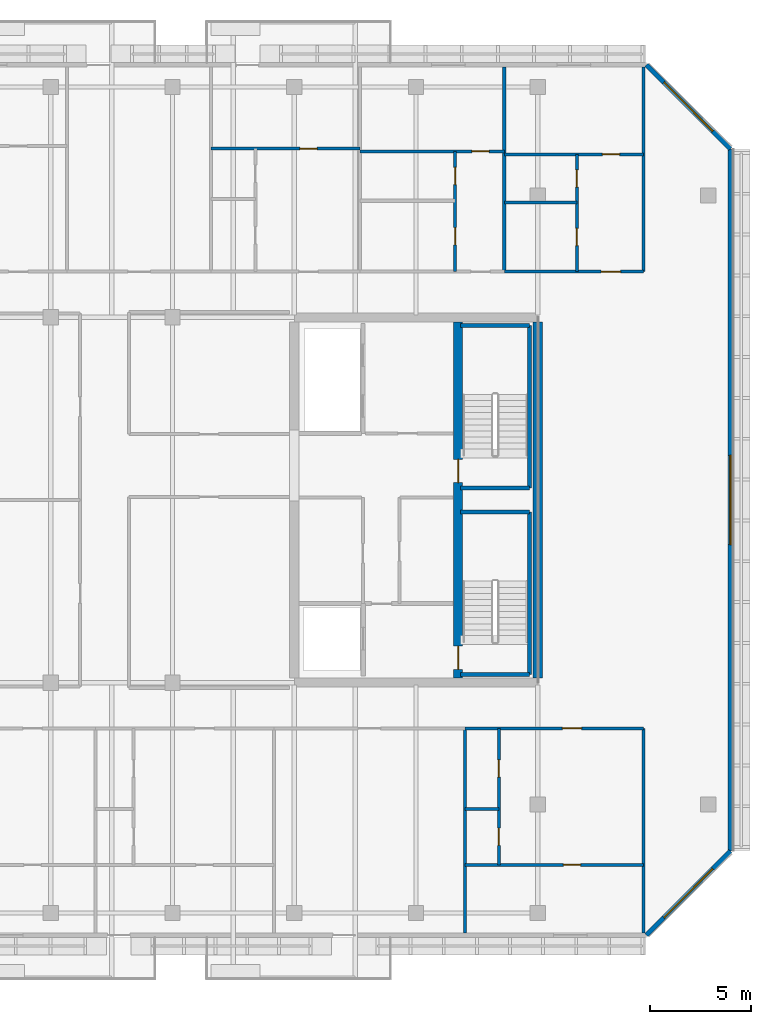
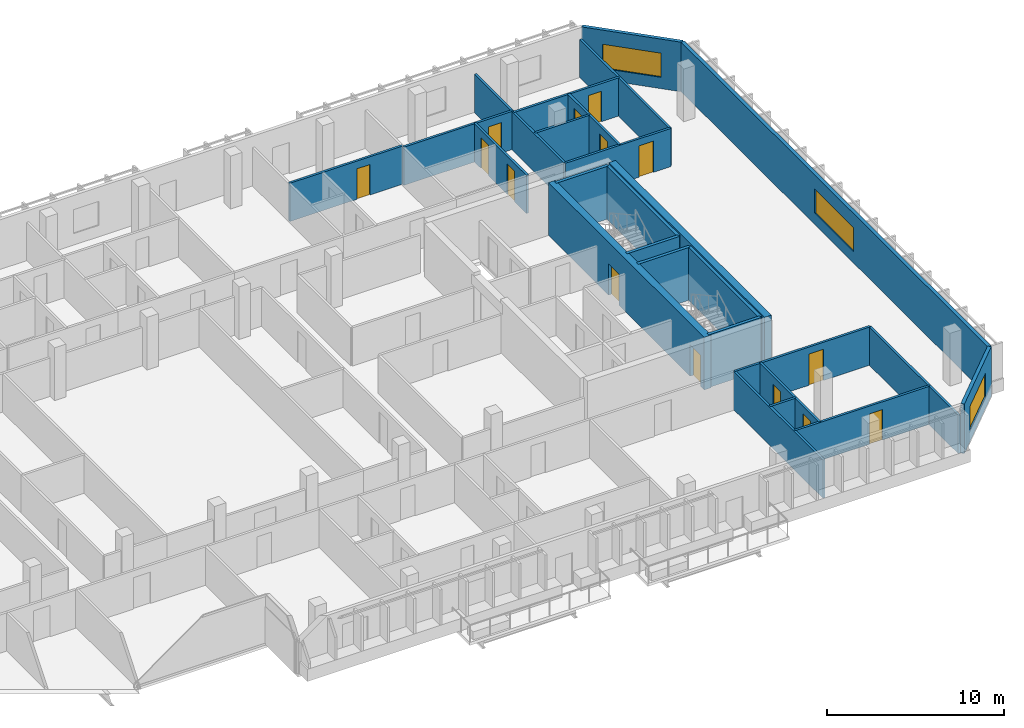
# One storey, part 11 of 17: 26 walls, 14 doors, 3 windows, 17 openings.
"""IFC4 building model written with IfcOpenShell, lengths in metres."""

from ifc_helpers import new_model, si_unit, direction, frame, frame_2d, origin, place, context, subcontext, project, spatial, rectangle, extrude, material, layer, layer_set, type_object, element, fill, save


model = new_model("IFC4")

# Units and contexts
model_context = context("Model", 3, precision=1e-05, world=origin(), true_north=direction((0.0, 1.0)))
body_context = subcontext(model_context, "Body", "Model", "MODEL_VIEW")
ifc_project = project(units=[si_unit("LENGTHUNIT", "METRE"), si_unit("AREAUNIT", "SQUARE_METRE"), si_unit("VOLUMEUNIT", "CUBIC_METRE"), si_unit("PLANEANGLEUNIT", "RADIAN"), si_unit("MASSUNIT", "GRAM", prefix="KILO")], contexts=[model_context])

# Site, building, storey
site_placement = place(None, origin())
site = spatial("IfcSite", under=ifc_project, at=site_placement, CompositionType="ELEMENT")
building_placement = place(site_placement, origin())
building = spatial("IfcBuilding", under=site, at=building_placement, Name="Tanjung Sevakor Pilgrim Tower", CompositionType="ELEMENT")
storey_placement = place(building_placement, frame((0.0, 0.0, 219.1201171875)))
storey = spatial("IfcBuildingStorey", under=building, at=storey_placement, Name="L61", CompositionType="ELEMENT", Elevation=219.1201171875)

# Wall
ifc_material_1 = material(Name="Concrete C60/75", Category="concrete")
ifc_layer_1 = layer(ifc_material_1, 0.449951171875)
ifc_layer_set_1 = layer_set([ifc_layer_1], Name="WALL-CW-450")
wall_type_1 = type_object("IfcWallType", Name="WALL-CW-450", PredefinedType="SHEAR", material=ifc_layer_set_1)
wall_1_placement = place(storey_placement, frame((90.0, 24.824951171875, 0.0), z_axis=(0.0, 0.0, 1.0), x_axis=(0.0, 1.0, 0.0)))
element("IfcWall", 1, at=wall_1_placement, inside=storey, type_object=wall_type_1, Name="L61 E Core Outer Shear Wall", PredefinedType="SHEAR", context=body_context, shape_type="SweptSolid", body=[
    extrude(rectangle(XDim=17.550048828125, YDim=0.449951171875, at=frame_2d((8.77490234375, 0.0))), origin(), (0.0, 0.0, 1.0), 3.6298828125),
])

# Wall, openings, doors
wall_2_placement = place(storey_placement, frame((86.074951171875, 24.824951171875, 0.0), z_axis=(0.0, 0.0, 1.0), x_axis=(0.0, 1.0, 0.0)))
wall_2 = element("IfcWall", 2, at=wall_2_placement, inside=storey, type_object=wall_type_1, Name="L61 E Core Stair Spine Wall", PredefinedType="SHEAR", context=body_context, shape_type="SweptSolid", body=[
    extrude(rectangle(XDim=17.550048828125, YDim=0.449951171875, at=frame_2d((8.77490234375, 0.0))), origin(), (0.0, 0.0, 1.0), 3.6298828125),
])
opening_1_placement = place(wall_2_placement, frame((0.425048828125, 0.0, 0.0)))
opening_1 = element("IfcOpeningElement", 3, at=opening_1_placement, cuts=wall_2, Name="Opening ID-ST1", PredefinedType="OPENING", context=body_context, shape_type="SweptSolid", body=[
    extrude(rectangle(XDim=1.14990234375, YDim=2.14990234375, at=frame_2d((0.574951171875, 1.074951171875))), frame((0.0, 0.23486328125, 0.0), z_axis=(0.0, -1.0, 0.0), x_axis=(1.0, 0.0, 0.0)), (0.0, 0.0, 1.0), 0.469970703125),
])
opening_2_placement = place(wall_2_placement, frame((9.625, 0.0, 0.0)))
opening_2 = element("IfcOpeningElement", 4, at=opening_2_placement, cuts=wall_2, Name="Opening ID-ST1", PredefinedType="OPENING", context=body_context, shape_type="SweptSolid", body=[
    extrude(rectangle(XDim=1.14990234375, YDim=2.14990234375, at=frame_2d((0.574951171875, 1.074951171875))), frame((0.0, 0.23486328125, 0.0), z_axis=(0.0, -1.0, 0.0), x_axis=(1.0, 0.0, 0.0)), (0.0, 0.0, 1.0), 0.469970703125),
])
ifc_material_2 = material(Name="Fire-Rated Steel S355J2", Category="steel")
door_type_1 = type_object("IfcDoorType", Name="DT-FIRE-1150", OperationType="NOTDEFINED", PredefinedType="DOOR", material=ifc_material_2)
door_1_placement = place(opening_1_placement, origin())
door_1 = element("IfcDoor", 5, at=door_1_placement, inside=storey, type_object=door_type_1, Name="L61 TS-E1 Stair Fire Door", OperationType="SINGLE_SWING_RIGHT", OverallHeight=2.14990234375, OverallWidth=1.14990234375, PredefinedType="DOOR", context=body_context, shape_type="SweptSolid", body=[
    extrude(rectangle(XDim=1.14990234375, YDim=2.14990234375, at=frame_2d((0.574951171875, 1.074951171875))), frame((0.0, 0.02490234375, 0.0), z_axis=(0.0, -1.0, 0.0), x_axis=(1.0, 0.0, 0.0)), (0.0, 0.0, 1.0), 0.050048828125),
])
fill(opening_1, door_1)
door_2_placement = place(opening_2_placement, origin())
door_2 = element("IfcDoor", 6, at=door_2_placement, inside=storey, type_object=door_type_1, Name="L61 TS-E2 Stair Fire Door", OperationType="SINGLE_SWING_LEFT", OverallHeight=2.14990234375, OverallWidth=1.14990234375, PredefinedType="DOOR", context=body_context, shape_type="SweptSolid", body=[
    extrude(rectangle(XDim=1.14990234375, YDim=2.14990234375, at=frame_2d((0.574951171875, 1.074951171875))), frame((0.0, 0.02490234375, 0.0), z_axis=(0.0, -1.0, 0.0), x_axis=(1.0, 0.0, 0.0)), (0.0, 0.0, 1.0), 0.050048828125),
])
fill(opening_2, door_2)

# Walls
ifc_material_3 = material(Name="Concrete C40/50", Category="concrete")
ifc_layer_2 = layer(ifc_material_3, 0.14990234375)
ifc_layer_set_2 = layer_set([ifc_layer_2], Name="WT-COMP-150")
wall_type_2 = type_object("IfcWallType", Name="WT-COMP-150", PredefinedType="SOLIDWALL", material=ifc_layer_set_2)
for number, where, z_axis, x_axis, name in (
    (7, (95.199951171875, 12.27001953125, 0.0), (0.0, 0.0, 1.0), (0.0, 1.0, 0.0), "L61 Partition IW-L61-061"),
    (8, (86.40185546875, 12.27001953125, 0.0), (0.0, 0.0, 1.0), (0.0, 1.0, 0.0), "L61 Partition IW-L61-074"),
):
    element("IfcWall", number, at=place(storey_placement, frame(where, z_axis=z_axis, x_axis=x_axis)), inside=storey, type_object=wall_type_2, Name=name, PredefinedType="SOLIDWALL", context=body_context, shape_type="SweptSolid", body=[
        extrude(rectangle(XDim=10.080078125, YDim=0.14990234375, at=frame_2d((5.0400390625, 0.0))), origin(), (0.0, 0.0, 1.0), 2.6298828125),
    ])

# Wall, opening, door
wall_3_placement = place(storey_placement, frame((86.40185546875, 22.35009765625, 0.0), z_axis=(0.0, 0.0, 1.0), x_axis=(1.0, 0.0, 0.0)))
wall_3 = element("IfcWall", 9, at=wall_3_placement, inside=storey, type_object=wall_type_2, Name="L61 Partition IW-L61-079", PredefinedType="SOLIDWALL", context=body_context, shape_type="SweptSolid", body=[
    extrude(rectangle(XDim=8.798095703125, YDim=0.14990234375, at=frame_2d((4.39892578125, 0.0))), origin(), (0.0, 0.0, 1.0), 2.6298828125),
])
opening_3_placement = place(wall_3_placement, frame((4.802978515625, 0.0, 0.0)))
opening_3 = element("IfcOpeningElement", 10, at=opening_3_placement, cuts=wall_3, Name="Opening ID-FD2", PredefinedType="OPENING", context=body_context, shape_type="SweptSolid", body=[
    extrude(rectangle(XDim=0.949951171875, YDim=2.14990234375, at=frame_2d((0.47509765625, 1.074951171875))), frame((0.0, 0.0849609375, 0.0), z_axis=(0.0, -1.0, 0.0), x_axis=(1.0, 0.0, 0.0)), (0.0, 0.0, 1.0), 0.169921875),
])
ifc_material_4 = material(Name="Fire-Rated Timber", Category="wood")
door_type_2 = type_object("IfcDoorType", Name="DT-FIRE-950", OperationType="NOTDEFINED", PredefinedType="DOOR", material=ifc_material_4)
door_3_placement = place(opening_3_placement, origin())
door_3 = element("IfcDoor", 11, at=door_3_placement, inside=storey, type_object=door_type_2, Name="Residence Entrance", OperationType="SINGLE_SWING_RIGHT", OverallHeight=2.14990234375, OverallWidth=0.949951171875, PredefinedType="DOOR", context=body_context, shape_type="SweptSolid", body=[
    extrude(rectangle(XDim=0.949951171875, YDim=2.14990234375, at=frame_2d((0.47509765625, 1.074951171875))), frame((0.0, 0.02490234375, 0.0), z_axis=(0.0, -1.0, 0.0), x_axis=(1.0, 0.0, 0.0)), (0.0, 0.0, 1.0), 0.050048828125),
])
fill(opening_3, door_3)

# Walls
for number, where, z_axis, x_axis, name in (
    (12, (95.199951171875, 44.85009765625, 0.0), (0.0, 0.0, 1.0), (0.0, 1.0, 0.0), "L61 Partition IW-L61-091"),
    (13, (88.346435546875, 44.85009765625, 0.0), (0.0, 0.0, 1.0), (0.0, 1.0, 0.0), "L61 Partition IW-L61-109"),
):
    element("IfcWall", number, at=place(storey_placement, frame(where, z_axis=z_axis, x_axis=x_axis)), inside=storey, type_object=wall_type_2, Name=name, PredefinedType="SOLIDWALL", context=body_context, shape_type="SweptSolid", body=[
        extrude(rectangle(XDim=10.079833984375, YDim=0.14990234375, at=frame_2d((5.0400390625, 0.0))), origin(), (0.0, 0.0, 1.0), 2.6298828125),
    ])

# Wall, opening, door
wall_4_placement = place(storey_placement, frame((88.346435546875, 44.85009765625, 0.0), z_axis=(0.0, 0.0, 1.0), x_axis=(1.0, 0.0, 0.0)))
wall_4 = element("IfcWall", 14, at=wall_4_placement, inside=storey, type_object=wall_type_2, Name="L61 Partition IW-L61-117", PredefinedType="SOLIDWALL", context=body_context, shape_type="SweptSolid", body=[
    extrude(rectangle(XDim=6.853515625, YDim=0.14990234375, at=frame_2d((3.4267578125, 0.0))), origin(), (0.0, 0.0, 1.0), 2.6298828125),
])
opening_4_placement = place(wall_4_placement, frame((4.778564453125, 0.0, 0.0)))
opening_4 = element("IfcOpeningElement", 15, at=opening_4_placement, cuts=wall_4, Name="Opening ID-FD2", PredefinedType="OPENING", context=body_context, shape_type="SweptSolid", body=[
    extrude(rectangle(XDim=0.949951171875, YDim=2.14990234375, at=frame_2d((0.47509765625, 1.074951171875))), frame((0.0, 0.0849609375, 0.0), z_axis=(0.0, -1.0, 0.0), x_axis=(1.0, 0.0, 0.0)), (0.0, 0.0, 1.0), 0.169921875),
])
door_4_placement = place(opening_4_placement, origin())
door_4 = element("IfcDoor", 16, at=door_4_placement, inside=storey, type_object=door_type_2, Name="Residence Entrance", OperationType="SINGLE_SWING_LEFT", OverallHeight=2.14990234375, OverallWidth=0.949951171875, PredefinedType="DOOR", context=body_context, shape_type="SweptSolid", body=[
    extrude(rectangle(XDim=0.949951171875, YDim=2.14990234375, at=frame_2d((0.47509765625, 1.074951171875))), frame((0.0, 0.02490234375, 0.0), z_axis=(0.0, -1.0, 0.0), x_axis=(1.0, 0.0, 0.0)), (0.0, 0.0, 1.0), 0.050048828125),
])
fill(opening_4, door_4)

# Wall, opening, window
ifc_material_5 = material(Name="Precast concrete C45/55", Category="concrete")
ifc_layer_3 = layer(ifc_material_5, 0.219970703125)
ifc_layer_set_3 = layer_set([ifc_layer_3], Name="WT-EW-STN4")
wall_type_3 = type_object("IfcWallType", Name="WT-EW-STN4", PredefinedType="SOLIDWALL", material=ifc_layer_set_3)
wall_5_placement = place(storey_placement, frame((95.3544921875, 12.159912109375, 0.0), z_axis=(0.0, 0.0, 1.0), x_axis=(0.707085909342, 0.707127652415, 0.0)))
wall_5 = element("IfcWall", 17, at=wall_5_placement, inside=storey, type_object=wall_type_3, Name="L61 MAIN Sculpted Corner Wall 5", PredefinedType="SOLIDWALL", context=body_context, shape_type="SweptSolid", body=[
    extrude(rectangle(XDim=5.8486328125, YDim=0.219970703125, at=frame_2d((2.92431640625, 0.0))), origin(), (0.0, 0.0, 1.0), 3.409912109375),
])
opening_5_placement = place(wall_5_placement, frame((1.224365234375, 0.0, 0.780029296875)))
opening_5 = element("IfcOpeningElement", 18, at=opening_5_placement, cuts=wall_5, Name="Opening WN-CHM-1660", PredefinedType="OPENING", context=body_context, shape_type="SweptSolid", body=[
    extrude(rectangle(XDim=3.39990234375, YDim=1.659912109375, at=frame_2d((1.699951171875, 0.830078125))), frame((0.0, 0.119873046875, 0.0), z_axis=(0.0, -1.0, 0.0), x_axis=(1.0, 0.0, 0.0)), (0.0, 0.0, 1.0), 0.239990234375),
])
ifc_material_6 = material(Name="Thermally Broken Aluminium and Low-E Glass", Category="aluminium")
window_type_1 = type_object("IfcWindowType", Name="WTYP-WN-CHM-1660", PartitioningType="DOUBLE_PANEL_VERTICAL", PredefinedType="WINDOW", material=ifc_material_6)
window_1_placement = place(opening_5_placement, origin())
window_1 = element("IfcWindow", 19, at=window_1_placement, inside=storey, type_object=window_type_1, Name="L61 Facade Window 01", OverallHeight=1.659912109375, OverallWidth=3.39990234375, PartitioningType="SINGLE_PANEL", PredefinedType="WINDOW", context=body_context, shape_type="SweptSolid", body=[
    extrude(rectangle(XDim=3.39990234375, YDim=1.659912109375, at=frame_2d((1.699951171875, 0.830078125))), frame((0.0, 0.030029296875, 0.0), z_axis=(0.0, -1.0, 0.0), x_axis=(1.0, 0.0, 0.0)), (0.0, 0.0, 1.0), 0.06005859375),
])
fill(opening_5, window_1)

wall_6_placement = place(storey_placement, frame((99.489990234375, 16.295654296875, 0.0), z_axis=(0.0, 0.0, 1.0), x_axis=(0.0, 1.0, 0.0)))
wall_6 = element("IfcWall", 20, at=wall_6_placement, inside=storey, type_object=wall_type_3, Name="L61 MAIN Exterior Wall 7", PredefinedType="SOLIDWALL", context=body_context, shape_type="SweptSolid", body=[
    extrude(rectangle(XDim=34.608642578125, YDim=0.219970703125, at=frame_2d((17.30419921875, 0.0))), origin(), (0.0, 0.0, 1.0), 3.409912109375),
])
opening_6_placement = place(wall_6_placement, frame((15.1044921875, 0.0, 0.780029296875)))
opening_6 = element("IfcOpeningElement", 21, at=opening_6_placement, cuts=wall_6, Name="Opening WN-ENDW-1660", PredefinedType="OPENING", context=body_context, shape_type="SweptSolid", body=[
    extrude(rectangle(XDim=4.39990234375, YDim=1.659912109375, at=frame_2d((2.199951171875, 0.830078125))), frame((0.0, 0.119873046875, 0.0), z_axis=(0.0, -1.0, 0.0), x_axis=(1.0, 0.0, 0.0)), (0.0, 0.0, 1.0), 0.239990234375),
])
ifc_material_7 = material(Name="Thermally Broken Aluminium and Low-E Glass", Category="aluminium")
window_type_2 = type_object("IfcWindowType", Name="WTYP-WN-ENDW-1660", PartitioningType="DOUBLE_PANEL_VERTICAL", PredefinedType="WINDOW", material=ifc_material_7)
window_2_placement = place(opening_6_placement, origin())
window_2 = element("IfcWindow", 22, at=window_2_placement, inside=storey, type_object=window_type_2, Name="L61 Facade Window 01", OverallHeight=1.659912109375, OverallWidth=4.39990234375, PartitioningType="SINGLE_PANEL", PredefinedType="WINDOW", context=body_context, shape_type="SweptSolid", body=[
    extrude(rectangle(XDim=4.39990234375, YDim=1.659912109375, at=frame_2d((2.199951171875, 0.830078125))), frame((0.0, 0.030029296875, 0.0), z_axis=(0.0, -1.0, 0.0), x_axis=(1.0, 0.0, 0.0)), (0.0, 0.0, 1.0), 0.06005859375),
])
fill(opening_6, window_2)

wall_7_placement = place(storey_placement, frame((99.489990234375, 50.904296875, 0.0), z_axis=(0.0, 0.0, 1.0), x_axis=(-0.707085909342, 0.707127652415, 0.0)))
wall_7 = element("IfcWall", 23, at=wall_7_placement, inside=storey, type_object=wall_type_3, Name="L61 MAIN Sculpted Corner Wall 7", PredefinedType="SOLIDWALL", context=body_context, shape_type="SweptSolid", body=[
    extrude(rectangle(XDim=5.8486328125, YDim=0.219970703125, at=frame_2d((2.92431640625, 0.0))), origin(), (0.0, 0.0, 1.0), 3.409912109375),
])
opening_7_placement = place(wall_7_placement, frame((1.224365234375, 0.0, 0.780029296875)))
opening_7 = element("IfcOpeningElement", 24, at=opening_7_placement, cuts=wall_7, Name="Opening WN-CHM-1660", PredefinedType="OPENING", context=body_context, shape_type="SweptSolid", body=[
    extrude(rectangle(XDim=3.39990234375, YDim=1.659912109375, at=frame_2d((1.699951171875, 0.830078125))), frame((0.0, 0.119873046875, 0.0), z_axis=(0.0, -1.0, 0.0), x_axis=(1.0, 0.0, 0.0)), (0.0, 0.0, 1.0), 0.239990234375),
])
window_3_placement = place(opening_7_placement, origin())
window_3 = element("IfcWindow", 25, at=window_3_placement, inside=storey, type_object=window_type_1, Name="L61 Facade Window 01", OverallHeight=1.659912109375, OverallWidth=3.39990234375, PartitioningType="SINGLE_PANEL", PredefinedType="WINDOW", context=body_context, shape_type="SweptSolid", body=[
    extrude(rectangle(XDim=3.39990234375, YDim=1.659912109375, at=frame_2d((1.699951171875, 0.830078125))), frame((0.0, 0.030029296875, 0.0), z_axis=(0.0, -1.0, 0.0), x_axis=(1.0, 0.0, 0.0)), (0.0, 0.0, 1.0), 0.06005859375),
])
fill(opening_7, window_3)

# Walls
ifc_material_8 = material(Name="Concrete C40/50", Category="concrete")
ifc_layer_4 = layer(ifc_material_8, 0.199951171875)
ifc_layer_set_4 = layer_set([ifc_layer_4], Name="WT-FIRE-200")
wall_type_4 = type_object("IfcWallType", Name="WT-FIRE-200", PredefinedType="SOLIDWALL", material=ifc_layer_set_4)
wall_8_placement = place(storey_placement, frame((86.199951171875, 25.0, 0.0), z_axis=(0.0, 0.0, 1.0), x_axis=(1.0, 0.0, 0.0)))
element("IfcWall", 26, at=wall_8_placement, inside=storey, type_object=wall_type_4, Name="L61 TS-E1 Shaft Wall 1", PredefinedType="SOLIDWALL", context=body_context, shape_type="SweptSolid", body=[
    extrude(rectangle(XDim=3.400146484375, YDim=0.199951171875, at=frame_2d((1.7001953125, 0.0))), origin(), (0.0, 0.0, 1.0), 3.6298828125),
])
wall_9_placement = place(storey_placement, frame((89.60009765625, 25.0, 0.0), z_axis=(0.0, 0.0, 1.0), x_axis=(0.0, 1.0, 0.0)))
element("IfcWall", 27, at=wall_9_placement, inside=storey, type_object=wall_type_4, Name="L61 TS-E1 Shaft Wall 2", PredefinedType="SOLIDWALL", context=body_context, shape_type="SweptSolid", body=[
    extrude(rectangle(XDim=8.0, YDim=0.199951171875, at=frame_2d((4.0, 0.0))), origin(), (0.0, 0.0, 1.0), 3.6298828125),
])
for number, where, z_axis, x_axis, name in (
    (28, (89.60009765625, 33.0, 0.0), (0.0, 0.0, 1.0), (-1.0, 0.0, 0.0), "L61 TS-E1 Shaft Wall 3"),
    (29, (86.199951171875, 34.199951171875, 0.0), (0.0, 0.0, 1.0), (1.0, 0.0, 0.0), "L61 TS-E2 Shaft Wall 1"),
):
    element("IfcWall", number, at=place(storey_placement, frame(where, z_axis=z_axis, x_axis=x_axis)), inside=storey, type_object=wall_type_4, Name=name, PredefinedType="SOLIDWALL", context=body_context, shape_type="SweptSolid", body=[
        extrude(rectangle(XDim=3.400146484375, YDim=0.199951171875, at=frame_2d((1.7001953125, 0.0))), origin(), (0.0, 0.0, 1.0), 3.6298828125),
    ])
wall_10_placement = place(storey_placement, frame((89.60009765625, 34.199951171875, 0.0), z_axis=(0.0, 0.0, 1.0), x_axis=(0.0, 1.0, 0.0)))
element("IfcWall", 30, at=wall_10_placement, inside=storey, type_object=wall_type_4, Name="L61 TS-E2 Shaft Wall 2", PredefinedType="SOLIDWALL", context=body_context, shape_type="SweptSolid", body=[
    extrude(rectangle(XDim=8.0, YDim=0.199951171875, at=frame_2d((4.0, 0.0))), origin(), (0.0, 0.0, 1.0), 3.6298828125),
])
wall_11_placement = place(storey_placement, frame((89.60009765625, 42.199951171875, 0.0), z_axis=(0.0, 0.0, 1.0), x_axis=(-1.0, 0.0, 0.0)))
element("IfcWall", 31, at=wall_11_placement, inside=storey, type_object=wall_type_4, Name="L61 TS-E2 Shaft Wall 3", PredefinedType="SOLIDWALL", context=body_context, shape_type="SweptSolid", body=[
    extrude(rectangle(XDim=3.400146484375, YDim=0.199951171875, at=frame_2d((1.7001953125, 0.0))), origin(), (0.0, 0.0, 1.0), 3.6298828125),
])
ifc_material_9 = material(Name="Gypsum Board Partition", Category="gypsum board")
ifc_layer_5 = layer(ifc_material_9, 0.14990234375)
ifc_layer_set_5 = layer_set([ifc_layer_5], Name="WT-PART-150")
wall_type_5 = type_object("IfcWallType", Name="WT-PART-150", PredefinedType="PARTITIONING", material=ifc_layer_set_5)
wall_12_placement = place(storey_placement, frame((86.40185546875, 18.381103515625, 0.0), z_axis=(0.0, 0.0, 1.0), x_axis=(1.0, 0.0, 0.0)))
element("IfcWall", 32, at=wall_12_placement, inside=storey, type_object=wall_type_5, Name="L61 Partition IW-L61-076", PredefinedType="PARTITIONING", context=body_context, shape_type="SweptSolid", body=[
    extrude(rectangle(XDim=1.67822265625, YDim=0.14990234375, at=frame_2d((0.839111328125, 0.0))), origin(), (0.0, 0.0, 1.0), 2.6298828125),
])

# Wall, openings, doors
wall_13_placement = place(storey_placement, frame((88.080078125, 15.623046875, 0.0), z_axis=(0.0, 0.0, 1.0), x_axis=(0.0, 1.0, 0.0)))
wall_13 = element("IfcWall", 33, at=wall_13_placement, inside=storey, type_object=wall_type_5, Name="L61 Partition IW-L61-077", PredefinedType="PARTITIONING", context=body_context, shape_type="SweptSolid", body=[
    extrude(rectangle(XDim=6.72705078125, YDim=0.14990234375, at=frame_2d((3.363525390625, 0.0))), origin(), (0.0, 0.0, 1.0), 2.6298828125),
])
opening_8_placement = place(wall_13_placement, frame((0.9541015625, 0.0, 0.0)))
opening_8 = element("IfcOpeningElement", 34, at=opening_8_placement, cuts=wall_13, Name="Opening ID-WC1", PredefinedType="OPENING", context=body_context, shape_type="SweptSolid", body=[
    extrude(rectangle(XDim=0.85009765625, YDim=2.10009765625, at=frame_2d((0.425048828125, 1.050048828125))), frame((0.0, 0.0849609375, 0.0), z_axis=(0.0, -1.0, 0.0), x_axis=(1.0, 0.0, 0.0)), (0.0, 0.0, 1.0), 0.169921875),
])
opening_9_placement = place(wall_13_placement, frame((4.317626953125, 0.0, 0.0)))
opening_9 = element("IfcOpeningElement", 35, at=opening_9_placement, cuts=wall_13, Name="Opening ID-WC1", PredefinedType="OPENING", context=body_context, shape_type="SweptSolid", body=[
    extrude(rectangle(XDim=0.85009765625, YDim=2.10009765625, at=frame_2d((0.425048828125, 1.050048828125))), frame((0.0, 0.0849609375, 0.0), z_axis=(0.0, -1.0, 0.0), x_axis=(1.0, 0.0, 0.0)), (0.0, 0.0, 1.0), 0.169921875),
])
ifc_material_10 = material(Name="Moisture-Resistant Timber", Category="wood")
door_type_3 = type_object("IfcDoorType", Name="DT-INT-850", OperationType="NOTDEFINED", PredefinedType="DOOR", material=ifc_material_10)
door_5_placement = place(opening_8_placement, origin())
door_5 = element("IfcDoor", 36, at=door_5_placement, inside=storey, type_object=door_type_3, Name="Residence Bathroom Door", OperationType="SINGLE_SWING_LEFT", OverallHeight=2.10009765625, OverallWidth=0.85009765625, PredefinedType="DOOR", context=body_context, shape_type="SweptSolid", body=[
    extrude(rectangle(XDim=0.85009765625, YDim=2.10009765625, at=frame_2d((0.425048828125, 1.050048828125))), frame((0.0, 0.02490234375, 0.0), z_axis=(0.0, -1.0, 0.0), x_axis=(1.0, 0.0, 0.0)), (0.0, 0.0, 1.0), 0.050048828125),
])
fill(opening_8, door_5)
door_6_placement = place(opening_9_placement, origin())
door_6 = element("IfcDoor", 37, at=door_6_placement, inside=storey, type_object=door_type_3, Name="Residence Kitchenette Door", OperationType="SINGLE_SWING_RIGHT", OverallHeight=2.10009765625, OverallWidth=0.85009765625, PredefinedType="DOOR", context=body_context, shape_type="SweptSolid", body=[
    extrude(rectangle(XDim=0.85009765625, YDim=2.10009765625, at=frame_2d((0.425048828125, 1.050048828125))), frame((0.0, 0.02490234375, 0.0), z_axis=(0.0, -1.0, 0.0), x_axis=(1.0, 0.0, 0.0)), (0.0, 0.0, 1.0), 0.050048828125),
])
fill(opening_9, door_6)

# Wall, opening, door
wall_14_placement = place(storey_placement, frame((86.40185546875, 15.623046875, 0.0), z_axis=(0.0, 0.0, 1.0), x_axis=(1.0, 0.0, 0.0)))
wall_14 = element("IfcWall", 38, at=wall_14_placement, inside=storey, type_object=wall_type_5, Name="L61 Partition IW-L61-078", PredefinedType="PARTITIONING", context=body_context, shape_type="SweptSolid", body=[
    extrude(rectangle(XDim=8.798095703125, YDim=0.14990234375, at=frame_2d((4.39892578125, 0.0))), origin(), (0.0, 0.0, 1.0), 2.6298828125),
])
opening_10_placement = place(wall_14_placement, frame((4.85302734375, 0.0, 0.0)))
opening_10 = element("IfcOpeningElement", 39, at=opening_10_placement, cuts=wall_14, Name="Opening ID-WC1", PredefinedType="OPENING", context=body_context, shape_type="SweptSolid", body=[
    extrude(rectangle(XDim=0.85009765625, YDim=2.10009765625, at=frame_2d((0.425048828125, 1.050048828125))), frame((0.0, 0.0849609375, 0.0), z_axis=(0.0, -1.0, 0.0), x_axis=(1.0, 0.0, 0.0)), (0.0, 0.0, 1.0), 0.169921875),
])
door_7_placement = place(opening_10_placement, origin())
door_7 = element("IfcDoor", 40, at=door_7_placement, inside=storey, type_object=door_type_3, Name="Residence Bedroom Door", OperationType="SINGLE_SWING_LEFT", OverallHeight=2.10009765625, OverallWidth=0.85009765625, PredefinedType="DOOR", context=body_context, shape_type="SweptSolid", body=[
    extrude(rectangle(XDim=0.85009765625, YDim=2.10009765625, at=frame_2d((0.425048828125, 1.050048828125))), frame((0.0, 0.02490234375, 0.0), z_axis=(0.0, -1.0, 0.0), x_axis=(1.0, 0.0, 0.0)), (0.0, 0.0, 1.0), 0.050048828125),
])
fill(opening_10, door_7)

wall_15_placement = place(storey_placement, frame((73.90478515625, 50.91259765625, 0.0), z_axis=(0.0, 0.0, 1.0), x_axis=(1.0, 0.0, 0.0)))
wall_15 = element("IfcWall", 41, at=wall_15_placement, inside=storey, type_object=wall_type_5, Name="L61 Partition IW-L61-107", PredefinedType="PARTITIONING", context=body_context, shape_type="SweptSolid", body=[
    extrude(rectangle(XDim=7.34326171875, YDim=0.14990234375, at=frame_2d((3.671630859375, 0.0))), origin(), (0.0, 0.0, 1.0), 2.6298828125),
])
opening_11_placement = place(wall_15_placement, frame((4.374267578125, 0.0, 0.0)))
opening_11 = element("IfcOpeningElement", 42, at=opening_11_placement, cuts=wall_15, Name="Opening ID-WC1", PredefinedType="OPENING", context=body_context, shape_type="SweptSolid", body=[
    extrude(rectangle(XDim=0.85009765625, YDim=2.10009765625, at=frame_2d((0.425048828125, 1.050048828125))), frame((0.0, 0.0849609375, 0.0), z_axis=(0.0, -1.0, 0.0), x_axis=(1.0, 0.0, 0.0)), (0.0, 0.0, 1.0), 0.169921875),
])
door_8_placement = place(opening_11_placement, origin())
door_8 = element("IfcDoor", 43, at=door_8_placement, inside=storey, type_object=door_type_3, Name="Residence Bedroom Door", OperationType="SINGLE_SWING_RIGHT", OverallHeight=2.10009765625, OverallWidth=0.85009765625, PredefinedType="DOOR", context=body_context, shape_type="SweptSolid", body=[
    extrude(rectangle(XDim=0.85009765625, YDim=2.10009765625, at=frame_2d((0.425048828125, 1.050048828125))), frame((0.0, 0.02490234375, 0.0), z_axis=(0.0, -1.0, 0.0), x_axis=(1.0, 0.0, 0.0)), (0.0, 0.0, 1.0), 0.050048828125),
])
fill(opening_11, door_8)

# Wall, openings, doors
wall_16_placement = place(storey_placement, frame((85.919921875, 44.85009765625, 0.0), z_axis=(0.0, 0.0, 1.0), x_axis=(0.0, 1.0, 0.0)))
wall_16 = element("IfcWall", 44, at=wall_16_placement, inside=storey, type_object=wall_type_5, Name="L61 Partition IW-L61-111", PredefinedType="PARTITIONING", context=body_context, shape_type="SweptSolid", body=[
    extrude(rectangle(XDim=5.924072265625, YDim=0.14990234375, at=frame_2d((2.9619140625, 0.0))), origin(), (0.0, 0.0, 1.0), 2.6298828125),
])
opening_12_placement = place(wall_16_placement, frame((1.322509765625, 0.0, 0.0)))
opening_12 = element("IfcOpeningElement", 45, at=opening_12_placement, cuts=wall_16, Name="Opening ID-WC1", PredefinedType="OPENING", context=body_context, shape_type="SweptSolid", body=[
    extrude(rectangle(XDim=0.85009765625, YDim=2.10009765625, at=frame_2d((0.425048828125, 1.050048828125))), frame((0.0, 0.0849609375, 0.0), z_axis=(0.0, -1.0, 0.0), x_axis=(1.0, 0.0, 0.0)), (0.0, 0.0, 1.0), 0.169921875),
])
opening_13_placement = place(wall_16_placement, frame((4.28466796875, 0.0, 0.0)))
opening_13 = element("IfcOpeningElement", 46, at=opening_13_placement, cuts=wall_16, Name="Opening ID-WC1", PredefinedType="OPENING", context=body_context, shape_type="SweptSolid", body=[
    extrude(rectangle(XDim=0.85009765625, YDim=2.10009765625, at=frame_2d((0.425048828125, 1.050048828125))), frame((0.0, 0.0849609375, 0.0), z_axis=(0.0, -1.0, 0.0), x_axis=(1.0, 0.0, 0.0)), (0.0, 0.0, 1.0), 0.169921875),
])
door_9_placement = place(opening_12_placement, origin())
door_9 = element("IfcDoor", 47, at=door_9_placement, inside=storey, type_object=door_type_3, Name="Residence Kitchenette Door", OperationType="SINGLE_SWING_RIGHT", OverallHeight=2.10009765625, OverallWidth=0.85009765625, PredefinedType="DOOR", context=body_context, shape_type="SweptSolid", body=[
    extrude(rectangle(XDim=0.85009765625, YDim=2.10009765625, at=frame_2d((0.425048828125, 1.050048828125))), frame((0.0, 0.02490234375, 0.0), z_axis=(0.0, -1.0, 0.0), x_axis=(1.0, 0.0, 0.0)), (0.0, 0.0, 1.0), 0.050048828125),
])
fill(opening_12, door_9)
door_10_placement = place(opening_13_placement, origin())
door_10 = element("IfcDoor", 48, at=door_10_placement, inside=storey, type_object=door_type_3, Name="Residence Bathroom Door", OperationType="SINGLE_SWING_LEFT", OverallHeight=2.10009765625, OverallWidth=0.85009765625, PredefinedType="DOOR", context=body_context, shape_type="SweptSolid", body=[
    extrude(rectangle(XDim=0.85009765625, YDim=2.10009765625, at=frame_2d((0.425048828125, 1.050048828125))), frame((0.0, 0.02490234375, 0.0), z_axis=(0.0, -1.0, 0.0), x_axis=(1.0, 0.0, 0.0)), (0.0, 0.0, 1.0), 0.050048828125),
])
fill(opening_13, door_10)

# Wall, opening, door
wall_17_placement = place(storey_placement, frame((81.248046875, 50.774169921875, 0.0), z_axis=(0.0, 0.0, 1.0), x_axis=(1.0, 0.0, 0.0)))
wall_17 = element("IfcWall", 49, at=wall_17_placement, inside=storey, type_object=wall_type_5, Name="L61 Partition IW-L61-112", PredefinedType="PARTITIONING", context=body_context, shape_type="SweptSolid", body=[
    extrude(rectangle(XDim=7.098388671875, YDim=0.14990234375, at=frame_2d((3.54931640625, 0.0))), origin(), (0.0, 0.0, 1.0), 2.6298828125),
])
opening_14_placement = place(wall_17_placement, frame((5.500244140625, 0.0, 0.0)))
opening_14 = element("IfcOpeningElement", 50, at=opening_14_placement, cuts=wall_17, Name="Opening ID-WC1", PredefinedType="OPENING", context=body_context, shape_type="SweptSolid", body=[
    extrude(rectangle(XDim=0.85009765625, YDim=2.10009765625, at=frame_2d((0.425048828125, 1.050048828125))), frame((0.0, 0.0849609375, 0.0), z_axis=(0.0, -1.0, 0.0), x_axis=(1.0, 0.0, 0.0)), (0.0, 0.0, 1.0), 0.169921875),
])
door_11_placement = place(opening_14_placement, origin())
door_11 = element("IfcDoor", 51, at=door_11_placement, inside=storey, type_object=door_type_3, Name="Residence Bedroom Door", OperationType="SINGLE_SWING_RIGHT", OverallHeight=2.10009765625, OverallWidth=0.85009765625, PredefinedType="DOOR", context=body_context, shape_type="SweptSolid", body=[
    extrude(rectangle(XDim=0.85009765625, YDim=2.10009765625, at=frame_2d((0.425048828125, 1.050048828125))), frame((0.0, 0.02490234375, 0.0), z_axis=(0.0, -1.0, 0.0), x_axis=(1.0, 0.0, 0.0)), (0.0, 0.0, 1.0), 0.050048828125),
])
fill(opening_14, door_11)

# Wall
wall_18_placement = place(storey_placement, frame((88.346435546875, 48.2578125, 0.0), z_axis=(0.0, 0.0, 1.0), x_axis=(1.0, 0.0, 0.0)))
element("IfcWall", 52, at=wall_18_placement, inside=storey, type_object=wall_type_5, Name="L61 Partition IW-L61-114", PredefinedType="PARTITIONING", context=body_context, shape_type="SweptSolid", body=[
    extrude(rectangle(XDim=3.573486328125, YDim=0.14990234375, at=frame_2d((1.78662109375, 0.0))), origin(), (0.0, 0.0, 1.0), 2.6298828125),
])

# Wall, openings, doors
wall_19_placement = place(storey_placement, frame((91.919921875, 44.85009765625, 0.0), z_axis=(0.0, 0.0, 1.0), x_axis=(0.0, 1.0, 0.0)))
wall_19 = element("IfcWall", 53, at=wall_19_placement, inside=storey, type_object=wall_type_5, Name="L61 Partition IW-L61-115", PredefinedType="PARTITIONING", context=body_context, shape_type="SweptSolid", body=[
    extrude(rectangle(XDim=5.775634765625, YDim=0.14990234375, at=frame_2d((2.8876953125, 0.0))), origin(), (0.0, 0.0, 1.0), 2.6298828125),
])
opening_15_placement = place(wall_19_placement, frame((1.27880859375, 0.0, 0.0)))
opening_15 = element("IfcOpeningElement", 54, at=opening_15_placement, cuts=wall_19, Name="Opening ID-WC1", PredefinedType="OPENING", context=body_context, shape_type="SweptSolid", body=[
    extrude(rectangle(XDim=0.85009765625, YDim=2.10009765625, at=frame_2d((0.425048828125, 1.050048828125))), frame((0.0, 0.0849609375, 0.0), z_axis=(0.0, -1.0, 0.0), x_axis=(1.0, 0.0, 0.0)), (0.0, 0.0, 1.0), 0.169921875),
])
opening_16_placement = place(wall_19_placement, frame((4.166748046875, 0.0, 0.0)))
opening_16 = element("IfcOpeningElement", 55, at=opening_16_placement, cuts=wall_19, Name="Opening ID-WC1", PredefinedType="OPENING", context=body_context, shape_type="SweptSolid", body=[
    extrude(rectangle(XDim=0.85009765625, YDim=2.10009765625, at=frame_2d((0.425048828125, 1.050048828125))), frame((0.0, 0.0849609375, 0.0), z_axis=(0.0, -1.0, 0.0), x_axis=(1.0, 0.0, 0.0)), (0.0, 0.0, 1.0), 0.169921875),
])
door_12_placement = place(opening_15_placement, origin())
door_12 = element("IfcDoor", 56, at=door_12_placement, inside=storey, type_object=door_type_3, Name="Residence Kitchenette Door", OperationType="SINGLE_SWING_RIGHT", OverallHeight=2.10009765625, OverallWidth=0.85009765625, PredefinedType="DOOR", context=body_context, shape_type="SweptSolid", body=[
    extrude(rectangle(XDim=0.85009765625, YDim=2.10009765625, at=frame_2d((0.425048828125, 1.050048828125))), frame((0.0, 0.02490234375, 0.0), z_axis=(0.0, -1.0, 0.0), x_axis=(1.0, 0.0, 0.0)), (0.0, 0.0, 1.0), 0.050048828125),
])
fill(opening_15, door_12)
door_13_placement = place(opening_16_placement, origin())
door_13 = element("IfcDoor", 57, at=door_13_placement, inside=storey, type_object=door_type_3, Name="Residence Bathroom Door", OperationType="SINGLE_SWING_LEFT", OverallHeight=2.10009765625, OverallWidth=0.85009765625, PredefinedType="DOOR", context=body_context, shape_type="SweptSolid", body=[
    extrude(rectangle(XDim=0.85009765625, YDim=2.10009765625, at=frame_2d((0.425048828125, 1.050048828125))), frame((0.0, 0.02490234375, 0.0), z_axis=(0.0, -1.0, 0.0), x_axis=(1.0, 0.0, 0.0)), (0.0, 0.0, 1.0), 0.050048828125),
])
fill(opening_16, door_13)

# Wall, opening, door
wall_20_placement = place(storey_placement, frame((88.346435546875, 50.625732421875, 0.0), z_axis=(0.0, 0.0, 1.0), x_axis=(1.0, 0.0, 0.0)))
wall_20 = element("IfcWall", 58, at=wall_20_placement, inside=storey, type_object=wall_type_5, Name="L61 Partition IW-L61-116", PredefinedType="PARTITIONING", context=body_context, shape_type="SweptSolid", body=[
    extrude(rectangle(XDim=6.853515625, YDim=0.14990234375, at=frame_2d((3.4267578125, 0.0))), origin(), (0.0, 0.0, 1.0), 2.6298828125),
])
opening_17_placement = place(wall_20_placement, frame((4.82861328125, 0.0, 0.0)))
opening_17 = element("IfcOpeningElement", 59, at=opening_17_placement, cuts=wall_20, Name="Opening ID-WC1", PredefinedType="OPENING", context=body_context, shape_type="SweptSolid", body=[
    extrude(rectangle(XDim=0.85009765625, YDim=2.10009765625, at=frame_2d((0.425048828125, 1.050048828125))), frame((0.0, 0.0849609375, 0.0), z_axis=(0.0, -1.0, 0.0), x_axis=(1.0, 0.0, 0.0)), (0.0, 0.0, 1.0), 0.169921875),
])
door_14_placement = place(opening_17_placement, origin())
door_14 = element("IfcDoor", 60, at=door_14_placement, inside=storey, type_object=door_type_3, Name="Residence Bedroom Door", OperationType="SINGLE_SWING_RIGHT", OverallHeight=2.10009765625, OverallWidth=0.85009765625, PredefinedType="DOOR", context=body_context, shape_type="SweptSolid", body=[
    extrude(rectangle(XDim=0.85009765625, YDim=2.10009765625, at=frame_2d((0.425048828125, 1.050048828125))), frame((0.0, 0.02490234375, 0.0), z_axis=(0.0, -1.0, 0.0), x_axis=(1.0, 0.0, 0.0)), (0.0, 0.0, 1.0), 0.050048828125),
])
fill(opening_17, door_14)

save(model, "model.ifc")
